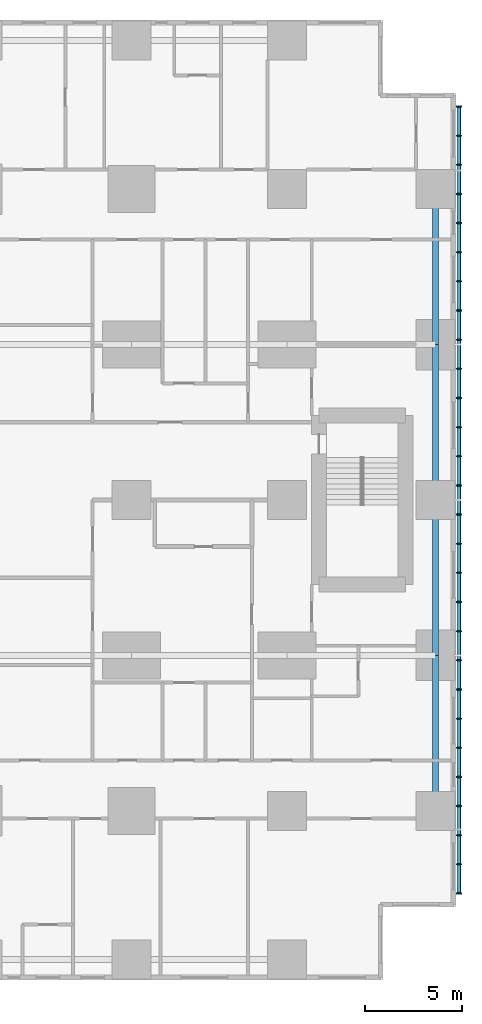
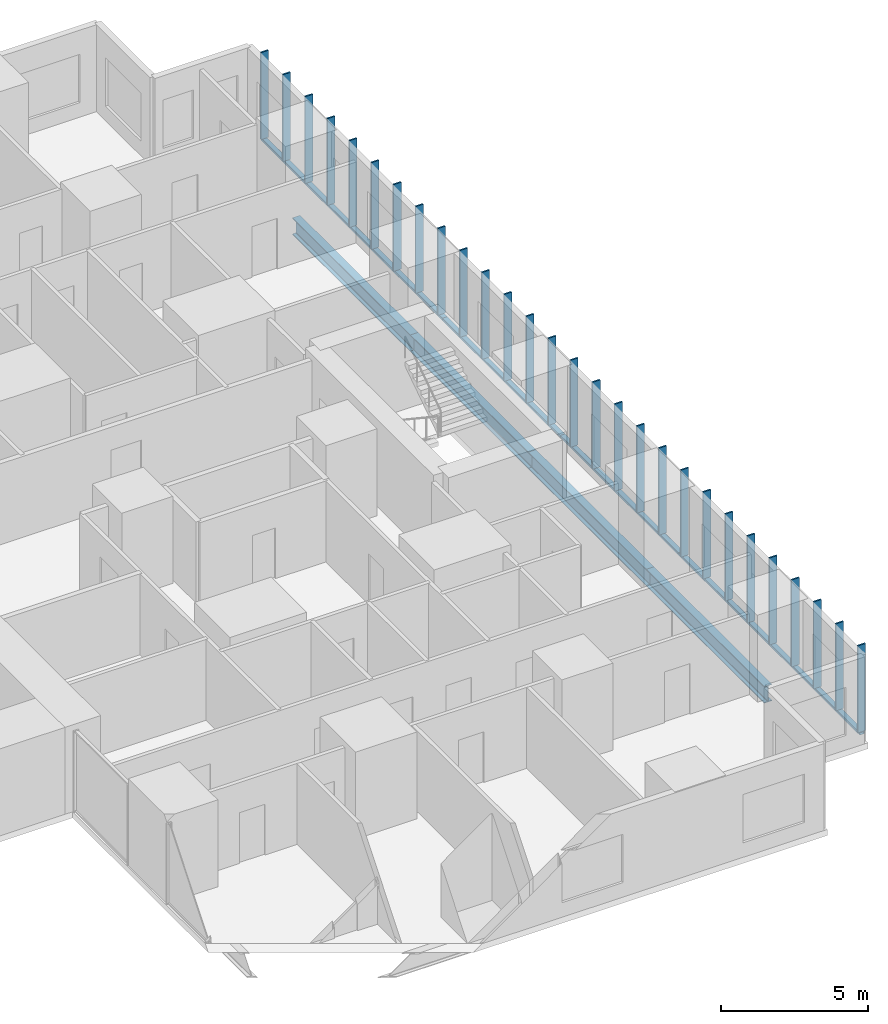
# One storey, part 6 of 20: 32 members, 4 beams.
"""IFC4 building model written with IfcOpenShell, lengths in metres."""

from ifc_helpers import new_model, si_unit, direction, frame, origin, origin_2d, place, context, subcontext, project, spatial, rectangle, hollow_rectangle, i_section, extrude, material, material_profile, profile_set, type_object, element, save


model = new_model("IFC4")

# Units and contexts
model_context = context("Model", 3, precision=1e-05, world=origin(), true_north=direction((0.0, 1.0)))
body_context = subcontext(model_context, "Body", "Model", "MODEL_VIEW")
ifc_project = project(units=[si_unit("LENGTHUNIT", "METRE"), si_unit("AREAUNIT", "SQUARE_METRE"), si_unit("VOLUMEUNIT", "CUBIC_METRE"), si_unit("PLANEANGLEUNIT", "RADIAN"), si_unit("MASSUNIT", "GRAM", prefix="KILO")], contexts=[model_context])

# Site, building, storey
site_placement = place(None, origin())
site = spatial("IfcSite", under=ifc_project, at=site_placement, CompositionType="ELEMENT")
building_placement = place(site_placement, origin())
building = spatial("IfcBuilding", under=site, at=building_placement, Name="Cleftline Residences", CompositionType="ELEMENT")
storey_placement = place(building_placement, frame((0.0, 0.0, 40.39990234375)))
storey = spatial("IfcBuildingStorey", under=building, at=storey_placement, Name="L09", CompositionType="ELEMENT", Elevation=40.39990234375)

# Members
ifc_material_1 = material(Name="Steel S355, hot-dip galvanised", Category="steel")
ifc_material_profile_1 = material_profile(ifc_material_1, hollow_rectangle(XDim=0.10009765625, YDim=0.199951171875, WallThickness=0.008056640625, InnerFilletRadius=0.008056640625, OuterFilletRadius=0.011962890625, at=origin_2d()))
ifc_profile_set_1 = profile_set([ifc_material_profile_1], Name="Steel S355, hot-dip galvanised")
member_type_1 = type_object("IfcMemberType", Name="BAGUETTE CARRIER RHS 200X100X8", PredefinedType="USERDEFINED", material=ifc_profile_set_1)
member_1_placement = place(storey_placement, frame((66.85009765625, 3.699951171875, -0.0498046875), z_axis=(0.0, 1.0, 0.0), x_axis=(0.0, 0.0, 1.0)))
element("IfcMember", 1, at=member_1_placement, inside=storey, type_object=member_type_1, Name="Baguette carrier", ObjectType="BAGUETTE CARRIER", PredefinedType="USERDEFINED", context=body_context, shape_type="SweptSolid", body=[
    extrude(hollow_rectangle(XDim=0.10009765625, YDim=0.199951171875, WallThickness=0.008056640625, InnerFilletRadius=0.008056640625, OuterFilletRadius=0.011962890625, at=origin_2d()), origin(), (0.0, 0.0, 1.0), 12.300048828125),
])
for number, where, z_axis, x_axis, name in (
    (2, (66.85009765625, 16.0, -0.0498046875), (0.0, 1.0, 0.0), (0.0, 0.0, 1.0), "Baguette carrier"),
    (3, (66.85009765625, 24.0, -0.0498046875), (0.0, 1.0, 0.0), (0.0, 0.0, 1.0), "Baguette carrier"),
):
    element("IfcMember", number, at=place(storey_placement, frame(where, z_axis=z_axis, x_axis=x_axis)), inside=storey, type_object=member_type_1, Name=name, ObjectType="BAGUETTE CARRIER", PredefinedType="USERDEFINED", context=body_context, shape_type="SweptSolid", body=[
        extrude(hollow_rectangle(XDim=0.10009765625, YDim=0.199951171875, WallThickness=0.008056640625, InnerFilletRadius=0.008056640625, OuterFilletRadius=0.011962890625, at=origin_2d()), origin(), (0.0, 0.0, 1.0), 8.0),
    ])
member_2_placement = place(storey_placement, frame((66.85009765625, 32.0, -0.0498046875), z_axis=(0.0, 1.0, 0.0), x_axis=(0.0, 0.0, 1.0)))
element("IfcMember", 4, at=member_2_placement, inside=storey, type_object=member_type_1, Name="Baguette carrier", ObjectType="BAGUETTE CARRIER", PredefinedType="USERDEFINED", context=body_context, shape_type="SweptSolid", body=[
    extrude(hollow_rectangle(XDim=0.10009765625, YDim=0.199951171875, WallThickness=0.008056640625, InnerFilletRadius=0.008056640625, OuterFilletRadius=0.011962890625, at=origin_2d()), origin(), (0.0, 0.0, 1.0), 12.300048828125),
])

# Beams
ifc_material_2 = material(Name="Steel S355", Category="steel")
ifc_material_profile_2 = material_profile(ifc_material_2, i_section(OverallWidth=0.300048828125, OverallDepth=0.699951171875, WebThickness=0.01708984375, FlangeThickness=0.031982421875, FilletRadius=0.027099609375, at=origin_2d()))
ifc_profile_set_2 = profile_set([ifc_material_profile_2], Name="Steel S355")
beam_type = type_object("IfcBeamType", Name="BEAM HEB 700", PredefinedType="BEAM", material=ifc_profile_set_2)
for number, where, z_axis, x_axis, name in (
    (5, (65.64990234375, 8.0, -0.599853515625), (0.0, 1.0, 0.0), (-1.0, 0.0, 0.0), "Edge beam"),
    (6, (65.64990234375, 16.0, -0.599853515625), (0.0, 1.0, 0.0), (-1.0, 0.0, 0.0), "Edge beam"),
    (7, (65.64990234375, 24.0, -0.599853515625), (0.0, 1.0, 0.0), (-1.0, 0.0, 0.0), "Edge beam"),
    (8, (65.64990234375, 32.0, -0.599853515625), (0.0, 1.0, 0.0), (-1.0, 0.0, 0.0), "Edge beam"),
):
    element("IfcBeam", number, at=place(storey_placement, frame(where, z_axis=z_axis, x_axis=x_axis)), inside=storey, type_object=beam_type, Name=name, PredefinedType="BEAM", context=body_context, shape_type="SweptSolid", body=[
        extrude(i_section(OverallWidth=0.300048828125, OverallDepth=0.699951171875, WebThickness=0.01708984375, FlangeThickness=0.031982421875, FilletRadius=0.027099609375, at=origin_2d()), origin(), (0.0, 0.0, 1.0), 8.0),
    ])

# Members
ifc_material_3 = material(Name="Extruded terracotta", Category="masonry")
ifc_material_profile_3 = material_profile(ifc_material_3, rectangle(XDim=0.06005859375, YDim=0.300048828125, at=origin_2d()))
ifc_profile_set_3 = profile_set([ifc_material_profile_3], Name="Extruded terracotta")
member_type_2 = type_object("IfcMemberType", Name="TERRACOTTA BAGUETTE 60X300", PredefinedType="USERDEFINED", material=ifc_profile_set_3)
for number, where, z_axis, x_axis, name in (
    (9, (66.85009765625, 3.75, 0.0), (0.0, 0.0, 1.0), (0.0, 1.0, 0.0), "Terracotta baguette"),
    (10, (66.85009765625, 5.25, 0.0), (0.0, 0.0, 1.0), (0.0, 1.0, 0.0), "Terracotta baguette"),
    (11, (66.85009765625, 6.75, 0.0), (0.0, 0.0, 1.0), (0.0, 1.0, 0.0), "Terracotta baguette"),
    (12, (66.85009765625, 8.25, 0.0), (0.0, 0.0, 1.0), (0.0, 1.0, 0.0), "Terracotta baguette"),
    (13, (66.85009765625, 9.75, 0.0), (0.0, 0.0, 1.0), (0.0, 1.0, 0.0), "Terracotta baguette"),
    (14, (66.85009765625, 11.25, 0.0), (0.0, 0.0, 1.0), (0.0, 1.0, 0.0), "Terracotta baguette"),
    (15, (66.85009765625, 12.75, 0.0), (0.0, 0.0, 1.0), (0.0, 1.0, 0.0), "Terracotta baguette"),
    (16, (66.85009765625, 14.25, 0.0), (0.0, 0.0, 1.0), (0.0, 1.0, 0.0), "Terracotta baguette"),
    (17, (66.85009765625, 15.75, 0.0), (0.0, 0.0, 1.0), (0.0, 1.0, 0.0), "Terracotta baguette"),
    (18, (66.85009765625, 17.25, 0.0), (0.0, 0.0, 1.0), (0.0, 1.0, 0.0), "Terracotta baguette"),
    (19, (66.85009765625, 18.75, 0.0), (0.0, 0.0, 1.0), (0.0, 1.0, 0.0), "Terracotta baguette"),
    (20, (66.85009765625, 20.25, 0.0), (0.0, 0.0, 1.0), (0.0, 1.0, 0.0), "Terracotta baguette"),
    (21, (66.85009765625, 21.75, 0.0), (0.0, 0.0, 1.0), (0.0, 1.0, 0.0), "Terracotta baguette"),
    (22, (66.85009765625, 23.25, 0.0), (0.0, 0.0, 1.0), (0.0, 1.0, 0.0), "Terracotta baguette"),
    (23, (66.85009765625, 24.75, 0.0), (0.0, 0.0, 1.0), (0.0, 1.0, 0.0), "Terracotta baguette"),
    (24, (66.85009765625, 26.25, 0.0), (0.0, 0.0, 1.0), (0.0, 1.0, 0.0), "Terracotta baguette"),
    (25, (66.85009765625, 27.75, 0.0), (0.0, 0.0, 1.0), (0.0, 1.0, 0.0), "Terracotta baguette"),
    (26, (66.85009765625, 29.25, 0.0), (0.0, 0.0, 1.0), (0.0, 1.0, 0.0), "Terracotta baguette"),
    (27, (66.85009765625, 30.75, 0.0), (0.0, 0.0, 1.0), (0.0, 1.0, 0.0), "Terracotta baguette"),
    (28, (66.85009765625, 32.25, 0.0), (0.0, 0.0, 1.0), (0.0, 1.0, 0.0), "Terracotta baguette"),
    (29, (66.85009765625, 33.75, 0.0), (0.0, 0.0, 1.0), (0.0, 1.0, 0.0), "Terracotta baguette"),
    (30, (66.85009765625, 35.25, 0.0), (0.0, 0.0, 1.0), (0.0, 1.0, 0.0), "Terracotta baguette"),
    (31, (66.85009765625, 36.75, 0.0), (0.0, 0.0, 1.0), (0.0, 1.0, 0.0), "Terracotta baguette"),
    (32, (66.85009765625, 38.25, 0.0), (0.0, 0.0, 1.0), (0.0, 1.0, 0.0), "Terracotta baguette"),
    (33, (66.85009765625, 39.75, 0.0), (0.0, 0.0, 1.0), (0.0, 1.0, 0.0), "Terracotta baguette"),
    (34, (66.85009765625, 41.25, 0.0), (0.0, 0.0, 1.0), (0.0, 1.0, 0.0), "Terracotta baguette"),
    (35, (66.85009765625, 42.75, 0.0), (0.0, 0.0, 1.0), (0.0, 1.0, 0.0), "Terracotta baguette"),
    (36, (66.85009765625, 44.25, 0.0), (0.0, 0.0, 1.0), (0.0, 1.0, 0.0), "Terracotta baguette"),
):
    element("IfcMember", number, at=place(storey_placement, frame(where, z_axis=z_axis, x_axis=x_axis)), inside=storey, type_object=member_type_2, Name=name, ObjectType="BAGUETTE", PredefinedType="USERDEFINED", context=body_context, shape_type="SweptSolid", body=[
        extrude(rectangle(XDim=0.06005859375, YDim=0.300048828125, at=origin_2d()), origin(), (0.0, 0.0, 1.0), 3.60009765625),
    ])

save(model, "model.ifc")
